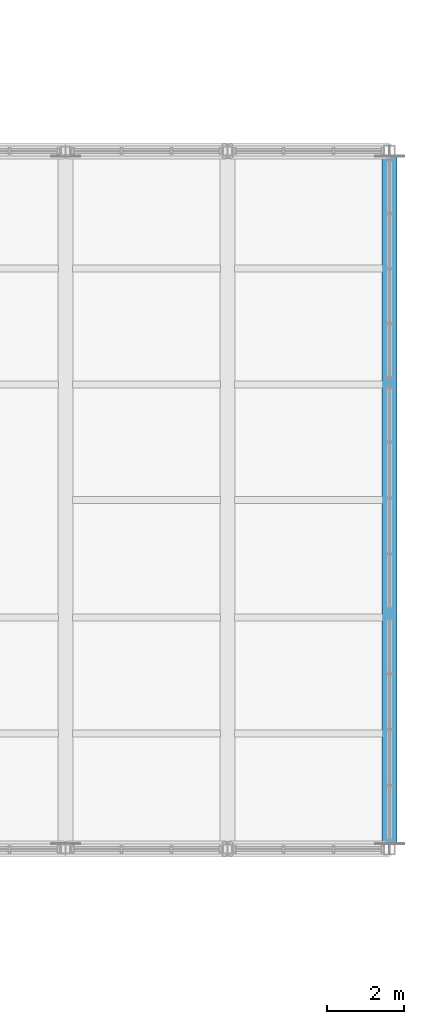
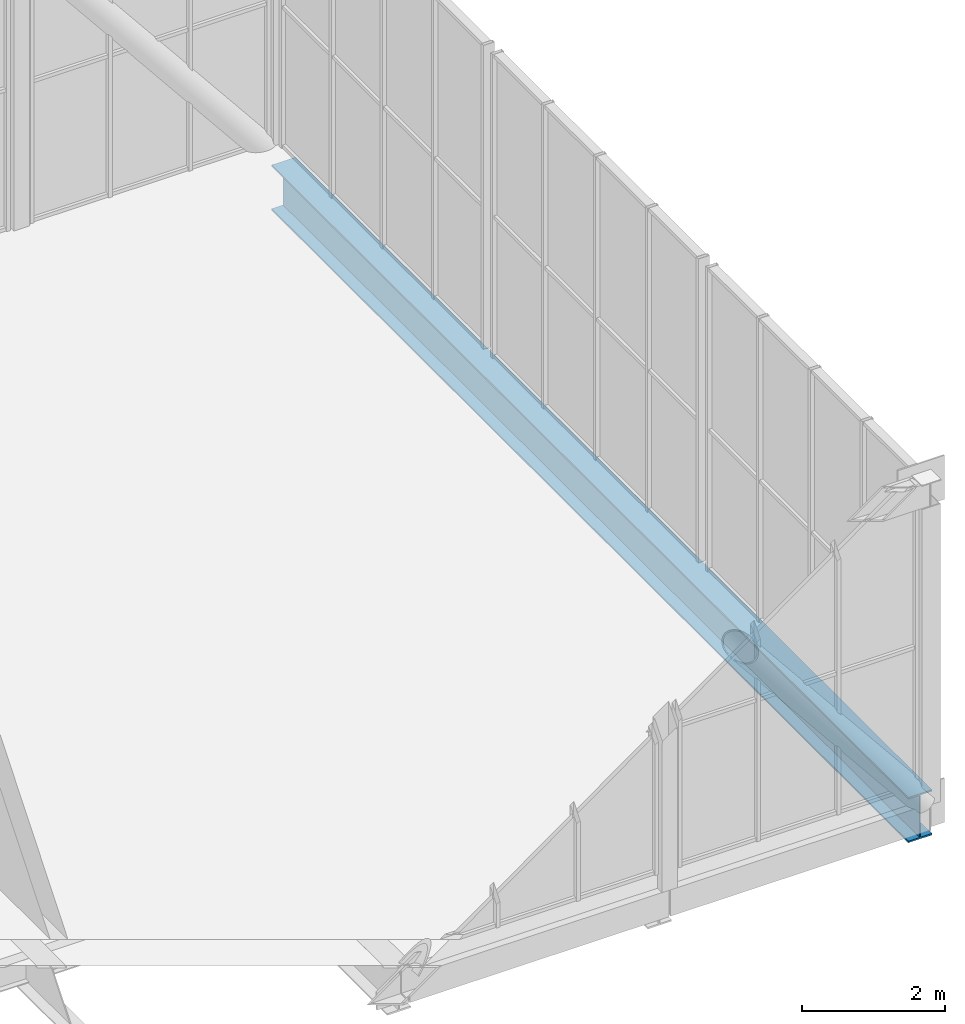
# One storey, part 40 of 58: 1 beam.
"""IFC4 building model written with IfcOpenShell, lengths in metres."""

from ifc_helpers import new_model, si_unit, direction, frame, origin, origin_2d, place, context, subcontext, project, spatial, i_section, extrude, material, material_profile, profile_set, type_object, element, save


model = new_model("IFC4")

# Units and contexts
model_context = context("Model", 3, precision=1e-05, world=origin(), true_north=direction((0.0, 1.0)))
body_context = subcontext(model_context, "Body", "Model", "MODEL_VIEW")
ifc_project = project(units=[si_unit("LENGTHUNIT", "METRE"), si_unit("AREAUNIT", "SQUARE_METRE"), si_unit("VOLUMEUNIT", "CUBIC_METRE"), si_unit("PLANEANGLEUNIT", "RADIAN"), si_unit("MASSUNIT", "GRAM", prefix="KILO")], contexts=[model_context])

# Site, building, storey
site_placement = place(None, origin())
site = spatial("IfcSite", under=ifc_project, at=site_placement, CompositionType="ELEMENT")
building_placement = place(site_placement, origin())
building = spatial("IfcBuilding", under=site, at=building_placement, Name="Khurvash Pelagic Aquarium", CompositionType="ELEMENT")
storey_placement = place(building_placement, frame((0.0, 0.0, 24.60009765625)))
storey = spatial("IfcBuildingStorey", under=building, at=storey_placement, Name="L05", CompositionType="ELEMENT", Elevation=24.60009765625)

# Beam
ifc_material = material(Name="Steel ASTM A992 Grade 50", Category="steel")
ifc_material_profile = material_profile(ifc_material, i_section(OverallWidth=0.381103515625, OverallDepth=0.77197265625, WebThickness=0.0166015625, FlangeThickness=0.027099609375, at=origin_2d()), Name="W30X173")
ifc_profile_set = profile_set([ifc_material_profile], Name="Steel ASTM A992 Grade 50")
beam_type = type_object("IfcBeamType", Name="BM-14", PredefinedType="BEAM", material=ifc_profile_set)
beam_placement = place(storey_placement, frame((121.800048828125, 11.81005859375, -0.68603515625), z_axis=(0.0, 1.0, 0.0), x_axis=(-1.0, 0.0, 0.0)))
element("IfcBeam", 1, at=beam_placement, inside=storey, type_object=beam_type, Name="L05 Sky-Bar Transverse Floor Girder BM-14 N27", PredefinedType="BEAM", context=body_context, shape_type="SweptSolid", body=[
    extrude(i_section(OverallWidth=0.381103515625, OverallDepth=0.77197265625, WebThickness=0.0166015625, FlangeThickness=0.027099609375, at=origin_2d()), origin(), (0.0, 0.0, 1.0), 17.780029296875),
])

save(model, "model.ifc")
